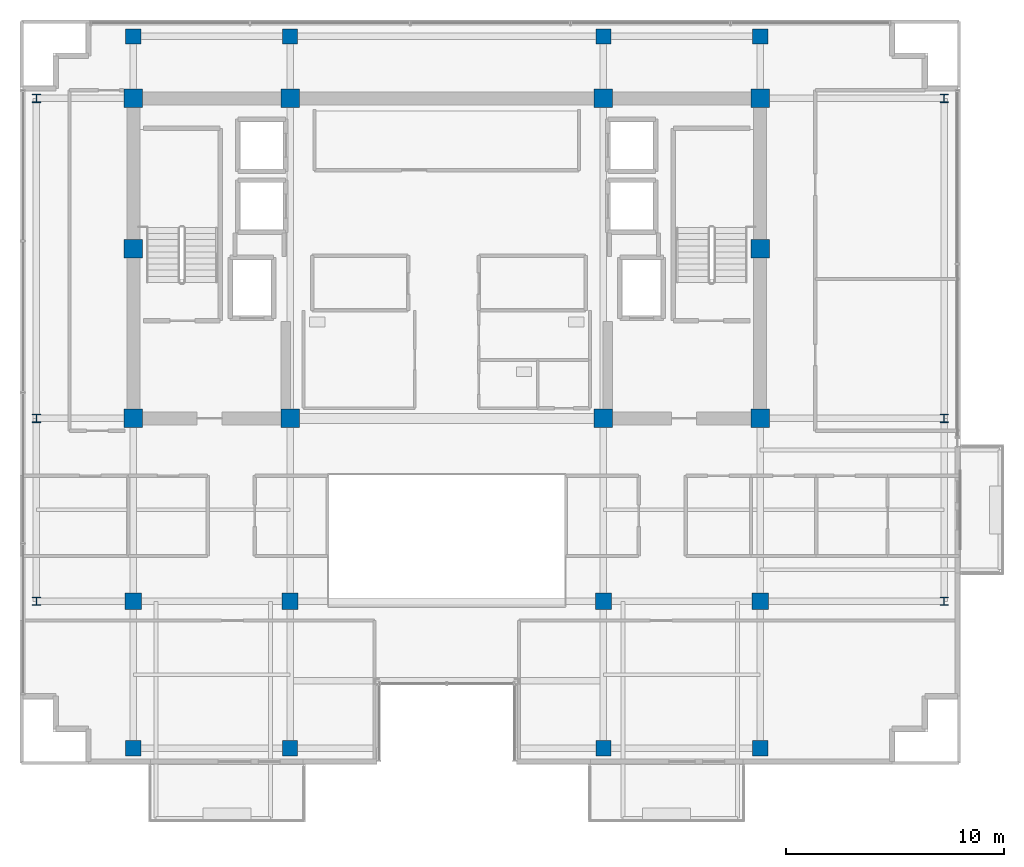
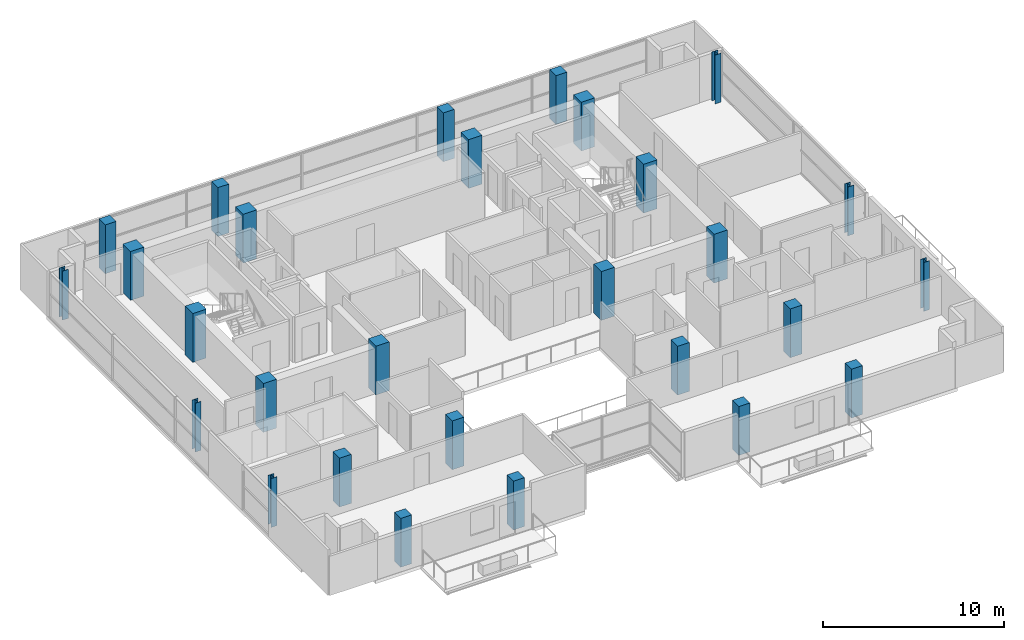
# One storey, part 1 of 22: 28 columns.
"""IFC4 building model written with IfcOpenShell, lengths in metres."""

from ifc_helpers import new_model, si_unit, direction, frame, origin, origin_2d, place, context, subcontext, project, spatial, rectangle, i_section, extrude, material, material_profile, profile_set, type_object, element, save


model = new_model("IFC4")

# Units and contexts
model_context = context("Model", 3, precision=1e-05, world=origin(), true_north=direction((0.0, 1.0)))
body_context = subcontext(model_context, "Body", "Model", "MODEL_VIEW")
ifc_project = project(units=[si_unit("LENGTHUNIT", "METRE"), si_unit("AREAUNIT", "SQUARE_METRE"), si_unit("VOLUMEUNIT", "CUBIC_METRE"), si_unit("PLANEANGLEUNIT", "RADIAN"), si_unit("MASSUNIT", "GRAM", prefix="KILO")], contexts=[model_context])

# Site, building, storey
site_placement = place(None, origin())
site = spatial("IfcSite", under=ifc_project, at=site_placement, CompositionType="ELEMENT")
building_placement = place(site_placement, origin())
building = spatial("IfcBuilding", under=site, at=building_placement, Name="Zarnakvel Exchange Tower", CompositionType="ELEMENT")
storey_placement = place(building_placement, frame((0.0, 0.0, 251.800048828125)))
storey = spatial("IfcBuildingStorey", under=building, at=storey_placement, Name="L71", CompositionType="ELEMENT", Elevation=251.800048828125)

# Columns
ifc_material_1 = material(Name="Concrete C50/60", Category="concrete")
ifc_material_profile_1 = material_profile(ifc_material_1, rectangle(XDim=0.85009765625, YDim=0.85009765625, at=origin_2d()))
ifc_profile_set_1 = profile_set([ifc_material_profile_1], Name="Concrete C50/60")
column_type_1 = type_object("IfcColumnType", Name="CC-03", PredefinedType="COLUMN", material=ifc_profile_set_1)
for number, where, z_axis, x_axis, name in (
    (1, (-14.39990234375, -1.199951171875, 0.0), (0.0, 0.0, 1.0), (1.0, 0.0, 0.0), "L71 Column C-4D (CC-03)"),
    (2, (-7.199951171875, -1.199951171875, 0.0), (0.0, 0.0, 1.0), (1.0, 0.0, 0.0), "L71 Column C-5D (CC-03)"),
    (3, (7.199951171875, -1.199951171875, 0.0), (0.0, 0.0, 1.0), (1.0, 0.0, 0.0), "L71 Column C-8D (CC-03)"),
    (4, (14.39990234375, -1.199951171875, 0.0), (0.0, 0.0, 1.0), (1.0, 0.0, 0.0), "L71 Column C-9D (CC-03)"),
    (5, (-14.39990234375, 6.60009765625, 0.0), (0.0, 0.0, 1.0), (1.0, 0.0, 0.0), "L71 Column C-4E (CC-03)"),
    (6, (14.39990234375, 6.60009765625, 0.0), (0.0, 0.0, 1.0), (1.0, 0.0, 0.0), "L71 Column C-9E (CC-03)"),
    (7, (-14.39990234375, 13.5, 0.0), (0.0, 0.0, 1.0), (1.0, 0.0, 0.0), "L71 Column C-4F (CC-03)"),
    (8, (-7.199951171875, 13.5, 0.0), (0.0, 0.0, 1.0), (1.0, 0.0, 0.0), "L71 Column C-5F (CC-03)"),
    (9, (7.199951171875, 13.5, 0.0), (0.0, 0.0, 1.0), (1.0, 0.0, 0.0), "L71 Column C-8F (CC-03)"),
    (10, (14.39990234375, 13.5, 0.0), (0.0, 0.0, 1.0), (1.0, 0.0, 0.0), "L71 Column C-9F (CC-03)"),
):
    element("IfcColumn", number, at=place(storey_placement, frame(where, z_axis=z_axis, x_axis=x_axis)), inside=storey, type_object=column_type_1, Name=name, PredefinedType="COLUMN", context=body_context, shape_type="SweptSolid", body=[
        extrude(rectangle(XDim=0.85009765625, YDim=0.85009765625, at=origin_2d()), origin(), (0.0, 0.0, 1.0), 3.300048828125),
    ])
ifc_material_2 = material(Name="Steel S355", Category="steel")
ifc_material_profile_2 = material_profile(ifc_material_2, i_section(OverallWidth=0.374755859375, OverallDepth=0.37451171875, WebThickness=0.0166015625, FlangeThickness=0.027099609375, FilletRadius=0.01513671875, at=origin_2d()))
ifc_profile_set_2 = profile_set([ifc_material_profile_2], Name="Steel S355")
column_type_2 = type_object("IfcColumnType", Name="SC-05", PredefinedType="COLUMN", material=ifc_profile_set_2)
for number, where, z_axis, x_axis, name in (
    (11, (-18.85009765625, -9.60009765625, 0.0), (0.0, 0.0, 1.0), (1.0, 0.0, 0.0), "L71 Column TW-C (SC-05)"),
    (12, (22.85009765625, -9.60009765625, 0.0), (0.0, 0.0, 1.0), (1.0, 0.0, 0.0), "L71 Column TE-C (SC-05)"),
    (13, (-18.85009765625, -1.199951171875, 0.0), (0.0, 0.0, 1.0), (1.0, 0.0, 0.0), "L71 Column TW-D (SC-05)"),
    (14, (22.85009765625, -1.199951171875, 0.0), (0.0, 0.0, 1.0), (1.0, 0.0, 0.0), "L71 Column TE-D (SC-05)"),
    (15, (-18.85009765625, 13.5, 0.0), (0.0, 0.0, 1.0), (1.0, 0.0, 0.0), "L71 Column TW-F (SC-05)"),
    (16, (22.85009765625, 13.5, 0.0), (0.0, 0.0, 1.0), (1.0, 0.0, 0.0), "L71 Column TE-F (SC-05)"),
):
    element("IfcColumn", number, at=place(storey_placement, frame(where, z_axis=z_axis, x_axis=x_axis)), inside=storey, type_object=column_type_2, Name=name, PredefinedType="COLUMN", context=body_context, shape_type="SweptSolid", body=[
        extrude(i_section(OverallWidth=0.374755859375, OverallDepth=0.37451171875, WebThickness=0.0166015625, FlangeThickness=0.027099609375, FilletRadius=0.01513671875, at=origin_2d()), origin(), (0.0, 0.0, 1.0), 3.300048828125),
    ])
ifc_material_profile_3 = material_profile(ifc_material_1, rectangle(XDim=0.75, YDim=0.75, at=origin_2d()))
ifc_profile_set_3 = profile_set([ifc_material_profile_3], Name="Concrete C50/60")
column_type_3 = type_object("IfcColumnType", Name="TC-04", PredefinedType="COLUMN", material=ifc_profile_set_3)
for number, where, z_axis, x_axis, name in (
    (17, (-14.39990234375, -9.60009765625, 0.0), (0.0, 0.0, 1.0), (1.0, 0.0, 0.0), "L71 Column T-4C (TC-04)"),
    (18, (-7.199951171875, -9.60009765625, 0.0), (0.0, 0.0, 1.0), (1.0, 0.0, 0.0), "L71 Column T-5C (TC-04)"),
    (19, (7.199951171875, -9.60009765625, 0.0), (0.0, 0.0, 1.0), (1.0, 0.0, 0.0), "L71 Column T-8C (TC-04)"),
    (20, (14.39990234375, -9.60009765625, 0.0), (0.0, 0.0, 1.0), (1.0, 0.0, 0.0), "L71 Column T-9C (TC-04)"),
):
    element("IfcColumn", number, at=place(storey_placement, frame(where, z_axis=z_axis, x_axis=x_axis)), inside=storey, type_object=column_type_3, Name=name, PredefinedType="COLUMN", context=body_context, shape_type="SweptSolid", body=[
        extrude(rectangle(XDim=0.75, YDim=0.75, at=origin_2d()), origin(), (0.0, 0.0, 1.0), 3.300048828125),
    ])
ifc_material_profile_4 = material_profile(ifc_material_1, rectangle(XDim=0.699951171875, YDim=0.699951171875, at=origin_2d()))
ifc_profile_set_4 = profile_set([ifc_material_profile_4], Name="Concrete C50/60")
column_type_4 = type_object("IfcColumnType", Name="TC-05", PredefinedType="COLUMN", material=ifc_profile_set_4)
for number, where, z_axis, x_axis, name in (
    (21, (-14.39990234375, -16.35009765625, 0.0), (0.0, 0.0, 1.0), (1.0, 0.0, 0.0), "L71 Column TS-4 (TC-05)"),
    (22, (-14.39990234375, 16.35009765625, 0.0), (0.0, 0.0, 1.0), (1.0, 0.0, 0.0), "L71 Column TN-4 (TC-05)"),
    (23, (-7.199951171875, -16.35009765625, 0.0), (0.0, 0.0, 1.0), (1.0, 0.0, 0.0), "L71 Column TS-5 (TC-05)"),
    (24, (-7.199951171875, 16.35009765625, 0.0), (0.0, 0.0, 1.0), (1.0, 0.0, 0.0), "L71 Column TN-5 (TC-05)"),
    (25, (7.199951171875, -16.35009765625, 0.0), (0.0, 0.0, 1.0), (1.0, 0.0, 0.0), "L71 Column TS-8 (TC-05)"),
    (26, (7.199951171875, 16.35009765625, 0.0), (0.0, 0.0, 1.0), (1.0, 0.0, 0.0), "L71 Column TN-8 (TC-05)"),
    (27, (14.39990234375, -16.35009765625, 0.0), (0.0, 0.0, 1.0), (1.0, 0.0, 0.0), "L71 Column TS-9 (TC-05)"),
    (28, (14.39990234375, 16.35009765625, 0.0), (0.0, 0.0, 1.0), (1.0, 0.0, 0.0), "L71 Column TN-9 (TC-05)"),
):
    element("IfcColumn", number, at=place(storey_placement, frame(where, z_axis=z_axis, x_axis=x_axis)), inside=storey, type_object=column_type_4, Name=name, PredefinedType="COLUMN", context=body_context, shape_type="SweptSolid", body=[
        extrude(rectangle(XDim=0.699951171875, YDim=0.699951171875, at=origin_2d()), origin(), (0.0, 0.0, 1.0), 3.300048828125),
    ])

save(model, "model.ifc")
